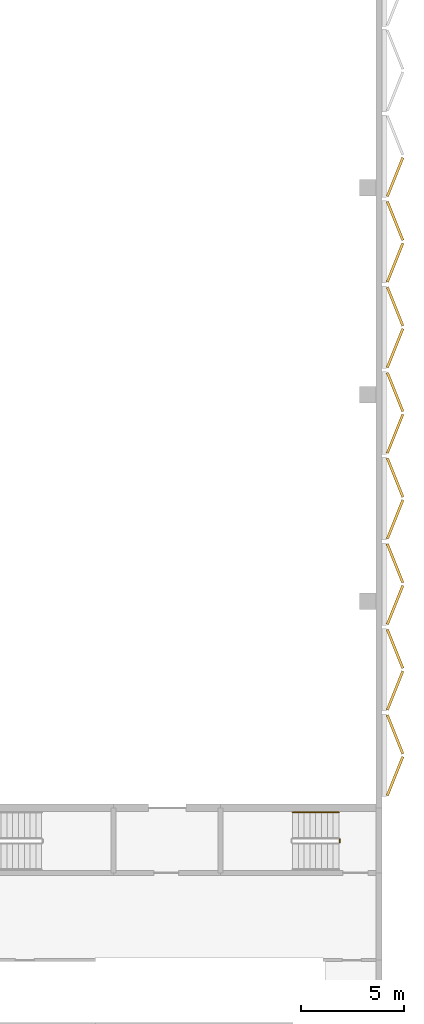
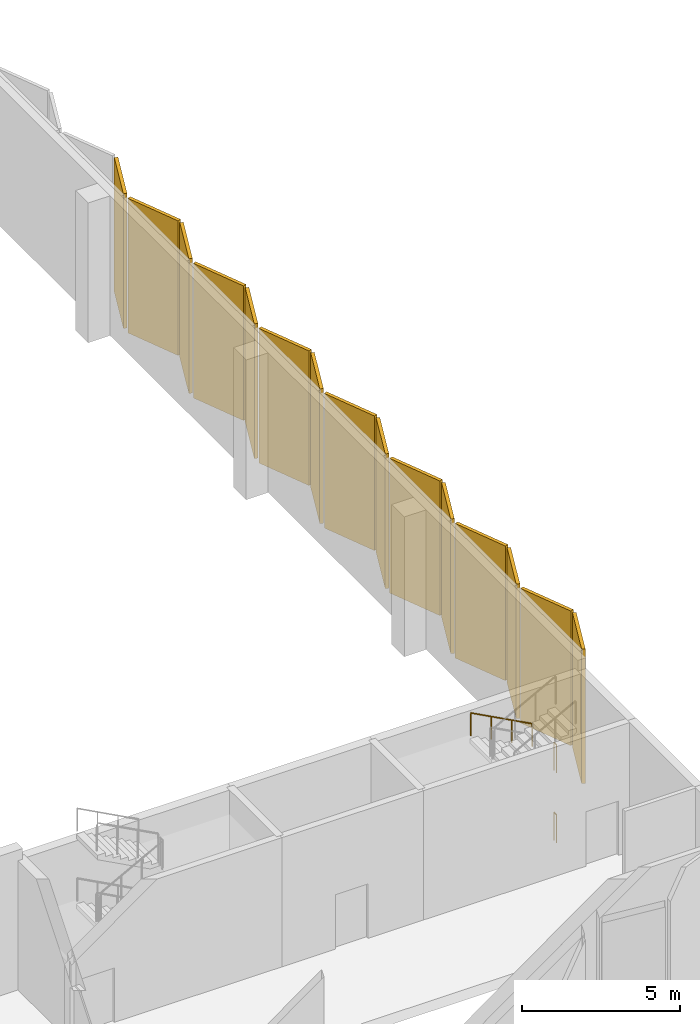
# One storey, part 31 of 35: 15 coverings, 3 railings.
"""IFC4 building model written with IfcOpenShell, lengths in metres."""

from ifc_helpers import new_model, si_unit, direction, frame, origin, origin_2d, place, context, subcontext, project, spatial, rectangle, circle, extrude, material, layer, layer_set, type_object, element, save


model = new_model("IFC4")

# Units and contexts
model_context = context("Model", 3, precision=1e-05, world=origin(), true_north=direction((0.0, 1.0)))
body_context = subcontext(model_context, "Body", "Model", "MODEL_VIEW")
ifc_project = project(units=[si_unit("LENGTHUNIT", "METRE"), si_unit("AREAUNIT", "SQUARE_METRE"), si_unit("VOLUMEUNIT", "CUBIC_METRE"), si_unit("PLANEANGLEUNIT", "RADIAN"), si_unit("MASSUNIT", "GRAM", prefix="KILO")], contexts=[model_context])

# Site, building, storey
site_placement = place(None, origin())
site = spatial("IfcSite", under=ifc_project, at=site_placement, CompositionType="ELEMENT")
building_placement = place(site_placement, origin())
building = spatial("IfcBuilding", under=site, at=building_placement, Name="Jabali Bay Hotel Tower and Convention Centre", CompositionType="ELEMENT")
storey_placement = place(building_placement, frame((0.0, 0.0, 15.0)))
storey = spatial("IfcBuildingStorey", under=building, at=storey_placement, Name="L02", CompositionType="ELEMENT", Elevation=15.0)

# Coverings
ifc_material_1 = material(Name="Precast concrete C40/50", Category="concrete")
ifc_layer = layer(ifc_material_1, 0.1201171875)
ifc_layer_set = layer_set([ifc_layer], Name="Precast concrete C40/50")
covering_type = type_object("IfcCoveringType", Name="CC Screen blade 4000 x 5200", PredefinedType="CLADDING", material=ifc_layer_set)
for number, where, z_axis, x_axis, name in (
    (1, (252.021728515625, 61.5322265625, 0.10009765625), (0.0, 0.0, 1.0), (0.371390668473, 0.928476694038, 0.0), "CC pierced screen E02.1 blade 1"),
    (2, (252.021728515625, 63.55224609375, 0.10009765625), (0.0, 0.0, 1.0), (0.371390668473, -0.928476694038, 0.0), "CC pierced screen E02.1 blade 2"),
    (3, (252.021728515625, 65.674560546875, 0.10009765625), (0.0, 0.0, 1.0), (0.371390668473, 0.928476694038, 0.0), "CC pierced screen E02.2 blade 1"),
    (4, (252.021728515625, 67.694580078125, 0.10009765625), (0.0, 0.0, 1.0), (0.371390668473, -0.928476694038, 0.0), "CC pierced screen E02.2 blade 2"),
    (5, (252.021728515625, 69.81689453125, 0.10009765625), (0.0, 0.0, 1.0), (0.371390668473, 0.928476694038, 0.0), "CC pierced screen E02.3 blade 1"),
    (6, (252.021728515625, 71.8369140625, 0.10009765625), (0.0, 0.0, 1.0), (0.371390668473, -0.928476694038, 0.0), "CC pierced screen E02.3 blade 2"),
    (7, (252.021728515625, 73.959228515625, 0.10009765625), (0.0, 0.0, 1.0), (0.371390668473, 0.928476694038, 0.0), "CC pierced screen E02.4 blade 1"),
    (8, (252.021728515625, 75.979248046875, 0.10009765625), (0.0, 0.0, 1.0), (0.371390668473, -0.928476694038, 0.0), "CC pierced screen E02.4 blade 2"),
    (9, (252.021728515625, 78.1015625, 0.10009765625), (0.0, 0.0, 1.0), (0.371390668473, 0.928476694038, 0.0), "CC pierced screen E02.5 blade 1"),
    (10, (252.021728515625, 80.12158203125, 0.10009765625), (0.0, 0.0, 1.0), (0.371390668473, -0.928476694038, 0.0), "CC pierced screen E02.5 blade 2"),
    (11, (252.021728515625, 82.243896484375, 0.10009765625), (0.0, 0.0, 1.0), (0.371390668473, 0.928476694038, 0.0), "CC pierced screen E02.6 blade 1"),
    (12, (252.021728515625, 84.263916015625, 0.10009765625), (0.0, 0.0, 1.0), (0.371390668473, -0.928476694038, 0.0), "CC pierced screen E02.6 blade 2"),
    (13, (252.021728515625, 86.38623046875, 0.10009765625), (0.0, 0.0, 1.0), (0.371390668473, 0.928476694038, 0.0), "CC pierced screen E02.7 blade 1"),
    (14, (252.021728515625, 88.40625, 0.10009765625), (0.0, 0.0, 1.0), (0.371390668473, -0.928476694038, 0.0), "CC pierced screen E02.7 blade 2"),
    (15, (252.021728515625, 90.528564453125, 0.10009765625), (0.0, 0.0, 1.0), (0.371390668473, 0.928476694038, 0.0), "CC pierced screen E02.8 blade 1"),
):
    element("IfcCovering", number, at=place(storey_placement, frame(where, z_axis=z_axis, x_axis=x_axis)), inside=storey, type_object=covering_type, Name=name, PredefinedType="CLADDING", context=body_context, shape_type="SweptSolid", body=[
        extrude(rectangle(XDim=2.02490234375, YDim=0.1201171875, at=origin_2d()), origin(), (0.0, 0.0, 1.0), 5.199951171875),
    ])

# Railings
ifc_material_2 = material(Name="Stainless steel 304", Category="steel")
railing_type_1 = type_object("IfcRailingType", Name="CC Stair Guard 1100", PredefinedType="GUARDRAIL", material=ifc_material_2)
for number, where, name in (
    (16, (249.35009765625, 58.47509765625, 2.699951171875), "L02 CC-STEA stair guard 4"),
    (17, (249.35009765625, 58.47509765625, 0.0), "L02 CC-STEA stair guard 8"),
):
    element("IfcRailing", number, at=place(storey_placement, frame(where)), inside=storey, type_object=railing_type_1, Name=name, PredefinedType="GUARDRAIL", context=body_context, shape_type="SweptSolid", body=[
        extrude(circle(Radius=0.02392578125, at=origin_2d()), frame((0.0, 0.0, 1.076171875), z_axis=(0.0, -1.0, 0.0), x_axis=(1.0, 0.0, 0.0)), (0.0, 0.0, 1.0), 0.150146484375),
        extrude(circle(Radius=0.02099609375, at=origin_2d()), origin(), (0.0, 0.0, 1.0), 1.052001953125),
        extrude(circle(Radius=0.02099609375, at=origin_2d()), frame((0.0, -0.150146484375, 0.0)), (0.0, 0.0, 1.0), 1.052001953125),
    ])
railing_type_2 = type_object("IfcRailingType", Name="CC Stair Handrail 900", PredefinedType="HANDRAIL", material=ifc_material_2)
railing_placement = place(storey_placement, frame((249.300048828125, 59.77490234375, 2.85009765625)))
element("IfcRailing", 18, at=railing_placement, inside=storey, type_object=railing_type_2, Name="L02 CC-STEA stair handrail 3", PredefinedType="HANDRAIL", context=body_context, shape_type="SweptSolid", body=[
    extrude(circle(Radius=0.02392578125, at=origin_2d()), frame((0.0, 0.0, 0.8759765625), z_axis=(-0.881487111273, 0.0, 0.472208081951), x_axis=(0.0, -1.0, 0.0)), (0.0, 0.0, 1.0), 2.541259765625),
    extrude(circle(Radius=0.02099609375, at=origin_2d()), origin(), (0.0, 0.0, 1.0), 0.851806640625),
    extrude(circle(Radius=0.02099609375, at=origin_2d()), frame((-0.74658203125, 0.0, 0.39990234375)), (0.0, 0.0, 1.0), 0.851806640625),
    extrude(circle(Radius=0.02099609375, at=origin_2d()), frame((-1.493408203125, 0.0, 0.800048828125)), (0.0, 0.0, 1.0), 0.851806640625),
    extrude(circle(Radius=0.02099609375, at=origin_2d()), frame((-2.239990234375, 0.0, 1.199951171875)), (0.0, 0.0, 1.0), 0.851806640625),
])

save(model, "model.ifc")
